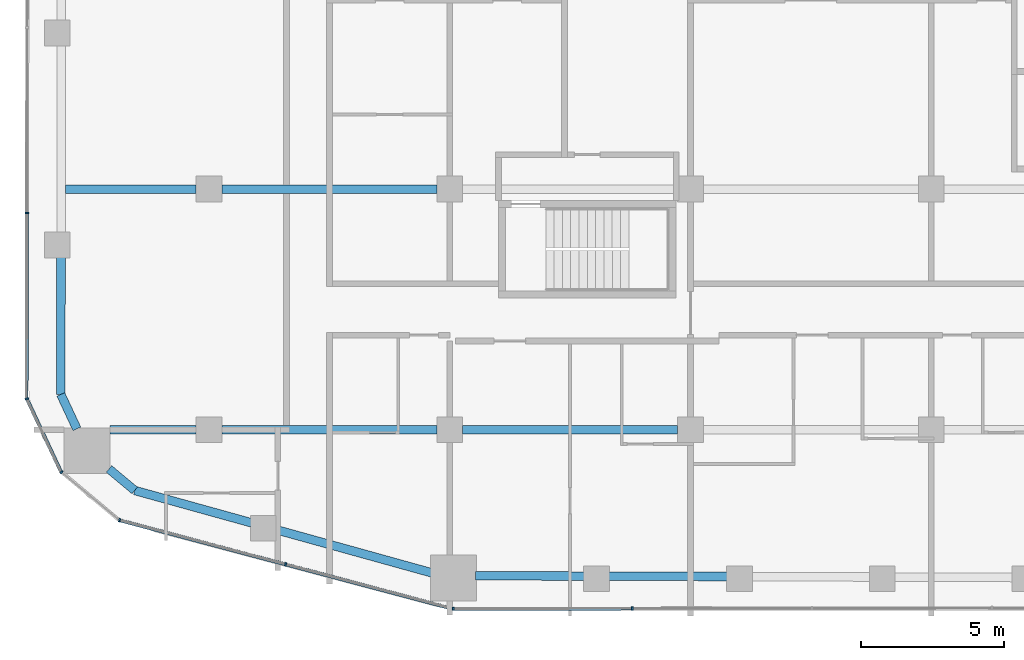
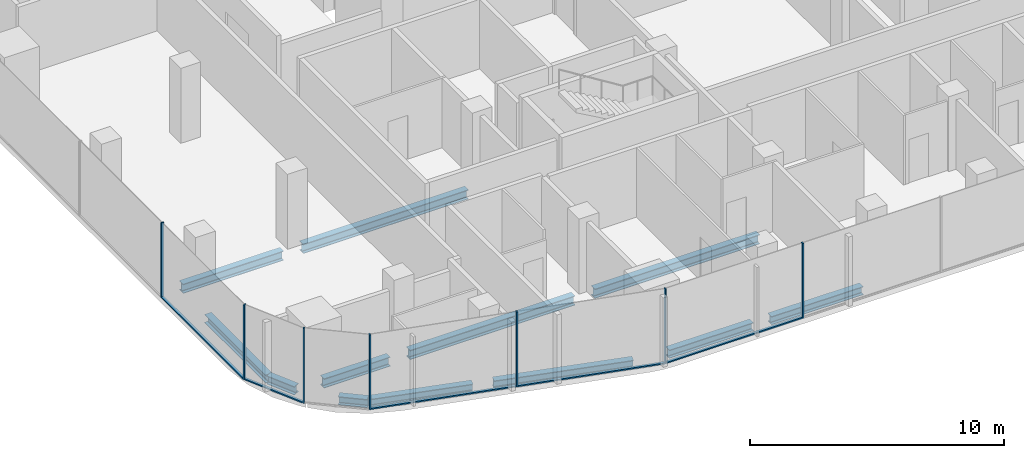
# One storey, part 2 of 21: 12 beams, 12 members, 5 elements without a shape of their own.
"""IFC4 building model written with IfcOpenShell, lengths in metres."""

from ifc_helpers import new_model, si_unit, direction, frame, origin, origin_2d, place, context, subcontext, project, spatial, rectangle, i_section, extrude, material, layer, layer_set, material_profile, profile_set, type_object, element, aggregate, save


model = new_model("IFC4")

# Units and contexts
model_context = context("Model", 3, precision=1e-05, world=origin(), true_north=direction((0.0, 1.0)))
body_context = subcontext(model_context, "Body", "Model", "MODEL_VIEW")
ifc_project = project(units=[si_unit("LENGTHUNIT", "METRE"), si_unit("AREAUNIT", "SQUARE_METRE"), si_unit("VOLUMEUNIT", "CUBIC_METRE"), si_unit("PLANEANGLEUNIT", "RADIAN"), si_unit("MASSUNIT", "GRAM", prefix="KILO")], contexts=[model_context])

# Site, building, storey
site_placement = place(None, origin())
site = spatial("IfcSite", under=ifc_project, at=site_placement, CompositionType="ELEMENT")
building_placement = place(site_placement, origin())
building = spatial("IfcBuilding", under=site, at=building_placement, Name="Marenta Gate Hotel Tower", CompositionType="ELEMENT")
storey_placement = place(building_placement, frame((0.0, 0.0, 133.699951171875)))
storey = spatial("IfcBuildingStorey", under=building, at=storey_placement, Name="L30", CompositionType="ELEMENT", Elevation=133.699951171875)

# Beams
ifc_material_1 = material(Name="Steel S355", Category="steel")
ifc_material_profile_1 = material_profile(ifc_material_1, i_section(OverallWidth=0.300048828125, OverallDepth=0.39990234375, WebThickness=0.013427734375, FlangeThickness=0.02392578125, FilletRadius=0.027099609375, at=origin_2d()), Name="HEB 400")
ifc_profile_set_1 = profile_set([ifc_material_profile_1], Name="Steel S355")
beam_type_1 = type_object("IfcBeamType", Name="Edge beam HEB 400", PredefinedType="SPANDREL", material=ifc_profile_set_1)
beam_1_placement = place(storey_placement, frame((-13.227783203125, -21.794677734375, -0.4599609375), z_axis=(-0.963615860477, 0.267290990189, 0.0), x_axis=(-0.267290990189, -0.963615860477, 0.0)))
element("IfcBeam", 1, at=beam_1_placement, inside=storey, type_object=beam_type_1, Name="L30-EB-1", PredefinedType="SPANDREL", context=body_context, shape_type="SweptSolid", body=[
    extrude(i_section(OverallWidth=0.300048828125, OverallDepth=0.39990234375, WebThickness=0.013427734375, FlangeThickness=0.02392578125, FilletRadius=0.027099609375, at=origin_2d()), origin(), (0.0, 0.0, 1.0), 5.674072265625),
])
beam_2_placement = place(storey_placement, frame((-19.518310546875, -20.0498046875, -0.4599609375), z_axis=(-0.963630213062, 0.267239242016, 0.0), x_axis=(-0.267239242016, -0.963630213062, 0.0)))
element("IfcBeam", 2, at=beam_2_placement, inside=storey, type_object=beam_type_1, Name="L30-EB-2", PredefinedType="SPANDREL", context=body_context, shape_type="SweptSolid", body=[
    extrude(i_section(OverallWidth=0.300048828125, OverallDepth=0.39990234375, WebThickness=0.013427734375, FlangeThickness=0.02392578125, FilletRadius=0.027099609375, at=origin_2d()), origin(), (0.0, 0.0, 1.0), 4.232666015625),
])
beam_3_placement = place(storey_placement, frame((-23.596923828125, -18.918701171875, -0.4599609375), z_axis=(-0.767073132856, 0.641559668972, 0.0), x_axis=(-0.641559668972, -0.767073132856, 0.0)))
element("IfcBeam", 3, at=beam_3_placement, inside=storey, type_object=beam_type_1, Name="L30-EB-3", PredefinedType="SPANDREL", context=body_context, shape_type="SweptSolid", body=[
    extrude(i_section(OverallWidth=0.300048828125, OverallDepth=0.39990234375, WebThickness=0.013427734375, FlangeThickness=0.02392578125, FilletRadius=0.027099609375, at=origin_2d()), origin(), (0.0, 0.0, 1.0), 1.1689453125),
])
beam_4_placement = place(storey_placement, frame((-25.613525390625, -16.769287109375, -0.4599609375), z_axis=(-0.423207780269, 0.906032656541, 0.0), x_axis=(-0.906032656541, -0.423207780269, 0.0)))
element("IfcBeam", 4, at=beam_4_placement, inside=storey, type_object=beam_type_1, Name="L30-EB-4", PredefinedType="SPANDREL", context=body_context, shape_type="SweptSolid", body=[
    extrude(i_section(OverallWidth=0.300048828125, OverallDepth=0.39990234375, WebThickness=0.013427734375, FlangeThickness=0.02392578125, FilletRadius=0.027099609375, at=origin_2d()), origin(), (0.0, 0.0, 1.0), 1.326904296875),
])
beam_5_placement = place(storey_placement, frame((-26.175048828125, -15.567138671875, -0.4599609375), z_axis=(0.001371810517, 0.999999059068, 0.0), x_axis=(-0.999999059068, 0.001371810517, 0.0)))
element("IfcBeam", 5, at=beam_5_placement, inside=storey, type_object=beam_type_1, Name="L30-EB-5", PredefinedType="SPANDREL", context=body_context, shape_type="SweptSolid", body=[
    extrude(i_section(OverallWidth=0.300048828125, OverallDepth=0.39990234375, WebThickness=0.013427734375, FlangeThickness=0.02392578125, FilletRadius=0.027099609375, at=origin_2d()), origin(), (0.0, 0.0, 1.0), 4.80517578125),
])
beam_6_placement = place(storey_placement, frame((-2.9033203125, -21.92333984375, -0.4599609375), z_axis=(-0.999994807487, 0.003222576575, 0.0), x_axis=(-0.003222576575, -0.999994807487, 0.0)))
element("IfcBeam", 6, at=beam_6_placement, inside=storey, type_object=beam_type_1, Name="L30-EB-35", PredefinedType="SPANDREL", context=body_context, shape_type="SweptSolid", body=[
    extrude(i_section(OverallWidth=0.300048828125, OverallDepth=0.39990234375, WebThickness=0.013427734375, FlangeThickness=0.02392578125, FilletRadius=0.027099609375, at=origin_2d()), origin(), (0.0, 0.0, 1.0), 4.166748046875),
])
beam_7_placement = place(storey_placement, frame((-7.89013671875, -21.907470703125, -0.4599609375), z_axis=(-0.999994677283, 0.003262729738, 0.0), x_axis=(-0.003262729738, -0.999994677283, 0.0)))
element("IfcBeam", 7, at=beam_7_placement, inside=storey, type_object=beam_type_1, Name="L30-EB-36", PredefinedType="SPANDREL", context=body_context, shape_type="SweptSolid", body=[
    extrude(i_section(OverallWidth=0.300048828125, OverallDepth=0.39990234375, WebThickness=0.013427734375, FlangeThickness=0.02392578125, FilletRadius=0.027099609375, at=origin_2d()), origin(), (0.0, 0.0, 1.0), 3.816162109375),
])
ifc_material_2 = material(Name="Steel S355", Category="steel")
ifc_material_profile_2 = material_profile(ifc_material_2, i_section(OverallWidth=0.300048828125, OverallDepth=0.449951171875, WebThickness=0.013916015625, FlangeThickness=0.02587890625, FilletRadius=0.027099609375, at=origin_2d()), Name="HEB 450")
ifc_profile_set_2 = profile_set([ifc_material_profile_2], Name="Steel S355")
beam_type_2 = type_object("IfcBeamType", Name="Girder HEB 450", PredefinedType="BEAM", material=ifc_profile_set_2)
beam_8_placement = place(storey_placement, frame((-24.462890625, -16.800048828125, -0.48486328125), z_axis=(1.0, 0.0, 0.0), x_axis=(0.0, 1.0, 0.0)))
element("IfcBeam", 8, at=beam_8_placement, inside=storey, type_object=beam_type_2, Name="L30-GD-1", PredefinedType="BEAM", context=body_context, shape_type="SweptSolid", body=[
    extrude(i_section(OverallWidth=0.300048828125, OverallDepth=0.449951171875, WebThickness=0.013916015625, FlangeThickness=0.02587890625, FilletRadius=0.027099609375, at=origin_2d()), origin(), (0.0, 0.0, 1.0), 3.012939453125),
])
for number, where, z_axis, x_axis, name in (
    (9, (-20.550048828125, -16.800048828125, -0.48486328125), (1.0, 0.0, 0.0), (0.0, 1.0, 0.0), "L30-GD-2"),
    (10, (-12.14990234375, -16.800048828125, -0.48486328125), (1.0, 0.0, 0.0), (0.0, 1.0, 0.0), "L30-GD-3"),
):
    element("IfcBeam", number, at=place(storey_placement, frame(where, z_axis=z_axis, x_axis=x_axis)), inside=storey, type_object=beam_type_2, Name=name, PredefinedType="BEAM", context=body_context, shape_type="SweptSolid", body=[
        extrude(i_section(OverallWidth=0.300048828125, OverallDepth=0.449951171875, WebThickness=0.013916015625, FlangeThickness=0.02587890625, FilletRadius=0.027099609375, at=origin_2d()), origin(), (0.0, 0.0, 1.0), 7.5),
    ])
beam_9_placement = place(storey_placement, frame((-26.01513671875, -8.39990234375, -0.48486328125), z_axis=(1.0, 0.0, 0.0), x_axis=(0.0, 1.0, 0.0)))
element("IfcBeam", 11, at=beam_9_placement, inside=storey, type_object=beam_type_2, Name="L30-GD-8", PredefinedType="BEAM", context=body_context, shape_type="SweptSolid", body=[
    extrude(i_section(OverallWidth=0.300048828125, OverallDepth=0.449951171875, WebThickness=0.013916015625, FlangeThickness=0.02587890625, FilletRadius=0.027099609375, at=origin_2d()), origin(), (0.0, 0.0, 1.0), 4.565185546875),
])
beam_10_placement = place(storey_placement, frame((-20.550048828125, -8.39990234375, -0.48486328125), z_axis=(1.0, 0.0, 0.0), x_axis=(0.0, 1.0, 0.0)))
element("IfcBeam", 12, at=beam_10_placement, inside=storey, type_object=beam_type_2, Name="L30-GD-9", PredefinedType="BEAM", context=body_context, shape_type="SweptSolid", body=[
    extrude(i_section(OverallWidth=0.300048828125, OverallDepth=0.449951171875, WebThickness=0.013916015625, FlangeThickness=0.02587890625, FilletRadius=0.027099609375, at=origin_2d()), origin(), (0.0, 0.0, 1.0), 7.5),
])

# Curtain wall, member
ifc_material_3 = material(Name="Tinted insulated glass in bronze anodised frame", Category="glass")
ifc_layer = layer(ifc_material_3, 0.1201171875)
ifc_layer_set = layer_set([ifc_layer], Name="Tinted insulated glass in bronze anodised frame")
curtain_wall_type = type_object("IfcCurtainWallType", Name="Tower unitised curtain wall CW1", PredefinedType="NOTDEFINED", material=ifc_layer_set)
curtain_wall_1_placement = place(storey_placement, origin())
curtain_wall_1 = element("IfcCurtainWall", 13, at=curtain_wall_1_placement, inside=storey, type_object=curtain_wall_type, Name="CW1 run G03", PredefinedType="NOTDEFINED")
ifc_material_4 = material(Name="Bronze anodised aluminium", Category="aluminium")
ifc_material_profile_3 = material_profile(ifc_material_4, rectangle(XDim=0.1201171875, YDim=0.06005859375, at=origin_2d()), Name="Mullion CW1 60x120 bronze anodised aluminium")
ifc_profile_set_3 = profile_set([ifc_material_profile_3], Name="Bronze anodised aluminium")
member_type_1 = type_object("IfcMemberType", Name="Mullion CW1 60x120 bronze anodised aluminium", PredefinedType="MULLION", material=ifc_profile_set_3)
member_1_placement = place(storey_placement, frame((-27.36279296875, -9.23388671875, 0.0), z_axis=(0.0, 0.0, 1.0), x_axis=(0.99999877375, -0.001566045546, 0.0)))
member_1 = element("IfcMember", 14, at=member_1_placement, type_object=member_type_1, Name="CW1 mullion 6", PredefinedType="MULLION", context=body_context, shape_type="SweptSolid", body=[
    extrude(rectangle(XDim=0.1201171875, YDim=0.06005859375, at=origin_2d()), origin(), (0.0, 0.0, 1.0), 3.60009765625),
])

curtain_wall_2_placement = place(storey_placement, origin())
curtain_wall_2 = element("IfcCurtainWall", 15, at=curtain_wall_2_placement, inside=storey, type_object=curtain_wall_type, Name="CW1 run G04", PredefinedType="NOTDEFINED")
member_2_placement = place(storey_placement, frame((-27.3603515625, -15.720947265625, 0.0), z_axis=(0.0, 0.0, 1.0), x_axis=(0.905971778319, 0.423338088163, 0.0)))
member_2 = element("IfcMember", 16, at=member_2_placement, type_object=member_type_1, Name="CW1 mullion 1", PredefinedType="MULLION", context=body_context, shape_type="SweptSolid", body=[
    extrude(rectangle(XDim=0.1201171875, YDim=0.06005859375, at=origin_2d()), origin(), (0.0, 0.0, 1.0), 3.60009765625),
])

curtain_wall_3_placement = place(storey_placement, origin())
curtain_wall_3 = element("IfcCurtainWall", 17, at=curtain_wall_3_placement, inside=storey, type_object=curtain_wall_type, Name="CW1 run G05", PredefinedType="NOTDEFINED")
member_3_placement = place(storey_placement, frame((-26.152099609375, -18.27685546875, 0.0), z_axis=(0.0, 0.0, 1.0), x_axis=(0.641512168126, 0.767112858807, 0.0)))
member_3 = element("IfcMember", 18, at=member_3_placement, type_object=member_type_1, Name="CW1 mullion 1", PredefinedType="MULLION", context=body_context, shape_type="SweptSolid", body=[
    extrude(rectangle(XDim=0.1201171875, YDim=0.06005859375, at=origin_2d()), origin(), (0.0, 0.0, 1.0), 3.60009765625),
])
aggregate(curtain_wall_3, [member_3])

# Curtain wall, members
curtain_wall_4_placement = place(storey_placement, origin())
curtain_wall_4 = element("IfcCurtainWall", 19, at=curtain_wall_4_placement, inside=storey, type_object=curtain_wall_type, Name="CW1 run G06", PredefinedType="NOTDEFINED")
member_4_placement = place(storey_placement, frame((-24.12451171875, -19.955810546875, 0.0), z_axis=(0.0, 0.0, 1.0), x_axis=(0.257143631229, 0.966373195468, 0.0)))
member_4 = element("IfcMember", 20, at=member_4_placement, type_object=member_type_1, Name="CW1 mullion 1", PredefinedType="MULLION", context=body_context, shape_type="SweptSolid", body=[
    extrude(rectangle(XDim=0.1201171875, YDim=0.06005859375, at=origin_2d()), origin(), (0.0, 0.0, 1.0), 3.60009765625),
])
member_5_placement = place(storey_placement, frame((-18.32958984375, -21.497802734375, 0.0), z_axis=(0.0, 0.0, 1.0), x_axis=(0.257143631229, 0.966373195468, 0.0)))
member_5 = element("IfcMember", 21, at=member_5_placement, type_object=member_type_1, Name="CW1 mullion 2", PredefinedType="MULLION", context=body_context, shape_type="SweptSolid", body=[
    extrude(rectangle(XDim=0.1201171875, YDim=0.06005859375, at=origin_2d()), origin(), (0.0, 0.0, 1.0), 3.60009765625),
])

curtain_wall_5_placement = place(storey_placement, origin())
curtain_wall_5 = element("IfcCurtainWall", 22, at=curtain_wall_5_placement, inside=storey, type_object=curtain_wall_type, Name="CW1 run G07", PredefinedType="NOTDEFINED")
member_6_placement = place(storey_placement, frame((-12.475830078125, -23.04736328125, 0.0), z_axis=(0.0, 0.0, 1.0), x_axis=(-0.001362347707, 0.999999072004, 0.0)))
member_6 = element("IfcMember", 23, at=member_6_placement, type_object=member_type_1, Name="CW1 mullion 1", PredefinedType="MULLION", context=body_context, shape_type="SweptSolid", body=[
    extrude(rectangle(XDim=0.1201171875, YDim=0.06005859375, at=origin_2d()), origin(), (0.0, 0.0, 1.0), 3.60009765625),
])
member_7_placement = place(storey_placement, frame((-6.22998046875, -23.0390625, 0.0), z_axis=(0.0, 0.0, 1.0), x_axis=(-0.001362347707, 0.999999072004, 0.0)))
member_7 = element("IfcMember", 24, at=member_7_placement, type_object=member_type_1, Name="CW1 mullion 2", PredefinedType="MULLION", context=body_context, shape_type="SweptSolid", body=[
    extrude(rectangle(XDim=0.1201171875, YDim=0.06005859375, at=origin_2d()), origin(), (0.0, 0.0, 1.0), 3.60009765625),
])

# Member
ifc_material_5 = material(Name="Bronze anodised aluminium", Category="aluminium")
ifc_material_profile_4 = material_profile(ifc_material_5, rectangle(XDim=0.1201171875, YDim=0.06005859375, at=origin_2d()), Name="Transom CW1 60x120 bronze anodised aluminium")
ifc_profile_set_4 = profile_set([ifc_material_profile_4], Name="Bronze anodised aluminium")
member_type_2 = type_object("IfcMemberType", Name="Transom CW1 60x120 bronze anodised aluminium", PredefinedType="USERDEFINED", material=ifc_profile_set_4)
member_8_placement = place(storey_placement, frame((-27.363037109375, -9.263916015625, 0.030029296875), z_axis=(-0.001556743377, -0.999998788274, 0.0), x_axis=(0.999998788274, -0.001556743377, 0.0)))
member_8 = element("IfcMember", 25, at=member_8_placement, type_object=member_type_2, Name="CW1 transom 6.1", ObjectType="TRANSOM", PredefinedType="USERDEFINED", context=body_context, shape_type="SweptSolid", body=[
    extrude(rectangle(XDim=0.1201171875, YDim=0.06005859375, at=origin_2d()), origin(), (0.0, 0.0, 1.0), 6.429931640625),
])

aggregate(curtain_wall_1, [member_1, member_8])

member_9_placement = place(storey_placement, frame((-27.34765625, -15.748046875, 0.030029296875), z_axis=(0.423329323939, -0.905975873572, 0.0), x_axis=(0.905975873572, 0.423329323939, 0.0)))
member_9 = element("IfcMember", 26, at=member_9_placement, type_object=member_type_2, Name="CW1 transom 1.1", ObjectType="TRANSOM", PredefinedType="USERDEFINED", context=body_context, shape_type="SweptSolid", body=[
    extrude(rectangle(XDim=0.1201171875, YDim=0.06005859375, at=origin_2d()), origin(), (0.0, 0.0, 1.0), 2.77001953125),
])

aggregate(curtain_wall_2, [member_2, member_9])

member_10_placement = place(storey_placement, frame((-24.095458984375, -19.963623046875, 0.030029296875), z_axis=(0.966369276777, -0.257158357634, 0.0), x_axis=(0.257158357634, 0.966369276777, 0.0)))
member_10 = element("IfcMember", 27, at=member_10_placement, type_object=member_type_2, Name="CW1 transom 1.1", ObjectType="TRANSOM", PredefinedType="USERDEFINED", context=body_context, shape_type="SweptSolid", body=[
    extrude(rectangle(XDim=0.1201171875, YDim=0.06005859375, at=origin_2d()), origin(), (0.0, 0.0, 1.0), 5.9365234375),
])

member_11_placement = place(storey_placement, frame((-18.300537109375, -21.505615234375, 0.030029296875), z_axis=(0.966369960125, -0.257155789684, 0.0), x_axis=(0.257155789684, 0.966369960125, 0.0)))
member_11 = element("IfcMember", 28, at=member_11_placement, type_object=member_type_2, Name="CW1 transom 2.1", ObjectType="TRANSOM", PredefinedType="USERDEFINED", context=body_context, shape_type="SweptSolid", body=[
    extrude(rectangle(XDim=0.1201171875, YDim=0.06005859375, at=origin_2d()), origin(), (0.0, 0.0, 1.0), 5.996337890625),
])

aggregate(curtain_wall_4, [member_4, member_5, member_10, member_11])

member_12_placement = place(storey_placement, frame((-12.44580078125, -23.04736328125, 0.030029296875), z_axis=(0.999999099639, 0.001341909831, 0.0), x_axis=(-0.001341909831, 0.999999099639, 0.0)))
member_12 = element("IfcMember", 29, at=member_12_placement, type_object=member_type_2, Name="CW1 transom 1.1", ObjectType="TRANSOM", PredefinedType="USERDEFINED", context=body_context, shape_type="SweptSolid", body=[
    extrude(rectangle(XDim=0.1201171875, YDim=0.06005859375, at=origin_2d()), origin(), (0.0, 0.0, 1.0), 6.185791015625),
])

aggregate(curtain_wall_5, [member_6, member_7, member_12])

save(model, "model.ifc")
